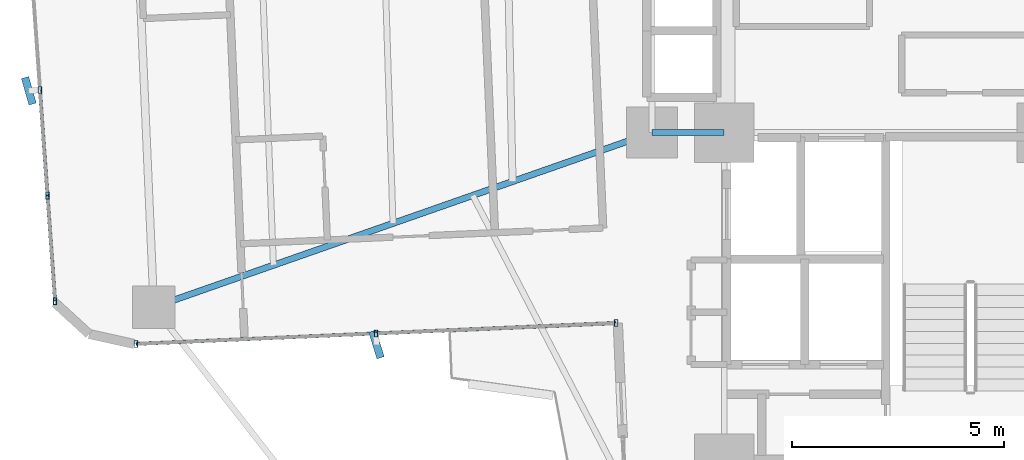
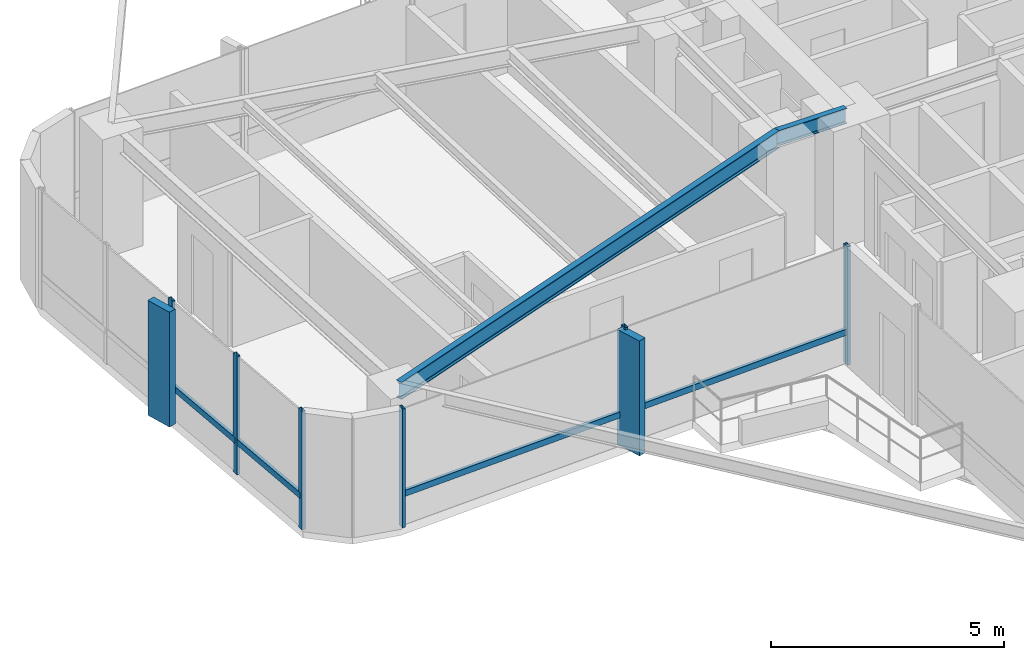
# One storey, part 8 of 26: 12 members, 2 beams, 2 elements without a shape of their own.
"""IFC4 building model written with IfcOpenShell, lengths in metres."""

from ifc_helpers import new_model, si_unit, direction, frame, origin, origin_2d, place, context, subcontext, project, spatial, rectangle, hollow_rectangle, i_section, extrude, source, transform, mapped, material, material_profile, profile_set, type_object, element, aggregate, save


model = new_model("IFC4")

# Units and contexts
model_context = context("Model", 3, precision=1e-05, world=origin(), true_north=direction((0.0, 1.0)))
body_context = subcontext(model_context, "Body", "Model", "MODEL_VIEW")
ifc_project = project(units=[si_unit("LENGTHUNIT", "METRE"), si_unit("AREAUNIT", "SQUARE_METRE"), si_unit("VOLUMEUNIT", "CUBIC_METRE"), si_unit("PLANEANGLEUNIT", "RADIAN"), si_unit("MASSUNIT", "GRAM", prefix="KILO")], contexts=[model_context])

# Site, building, storey
site_placement = place(None, origin())
site = spatial("IfcSite", under=ifc_project, at=site_placement, CompositionType="ELEMENT")
building_placement = place(site_placement, origin())
building = spatial("IfcBuilding", under=site, at=building_placement, Name="Sahyath Konkavel Grand Hotel", CompositionType="ELEMENT")
storey_placement = place(building_placement, frame((0.0, 0.0, 131.550048828125)))
storey = spatial("IfcBuildingStorey", under=building, at=storey_placement, Name="L36", CompositionType="ELEMENT", Elevation=131.550048828125)

# Beams
ifc_material_1 = material(Name="Steel E350", Category="steel")
ifc_material_profile_1 = material_profile(ifc_material_1, i_section(OverallWidth=0.139892578125, OverallDepth=0.39990234375, WebThickness=0.0087890625, FlangeThickness=0.01611328125, FilletRadius=0.013916015625, at=origin_2d()), Name="ISMB 400")
ifc_profile_set_1 = profile_set([ifc_material_profile_1], Name="Steel E350")
beam_type_1 = type_object("IfcBeamType", Name="BM-ISMB400", PredefinedType="BEAM", material=ifc_profile_set_1)
shared_shape_1 = source(origin(), body_context, "Body", "SweptSolid", [
    extrude(i_section(OverallWidth=0.139892578125, OverallDepth=0.39990234375, WebThickness=0.0087890625, FlangeThickness=0.01611328125, FilletRadius=0.013916015625, at=origin_2d()), origin(), (0.0, 0.0, 1.0), 1.699951171875),
])
beam_1_placement = place(storey_placement, frame((-5.5, -2.39990234375, 2.909912109375), z_axis=(1.0, 0.0, 0.0), x_axis=(0.0, 1.0, 0.0)))
element("IfcBeam", 1, at=beam_1_placement, inside=storey, type_object=beam_type_1, Name="str:bm:L36:HB-SW", PredefinedType="BEAM", context=body_context, shape_type="MappedRepresentation", body=[
    mapped(shared_shape_1, transform((0.0, 0.0, 0.0), scale=1.0)),
])
ifc_material_profile_2 = material_profile(ifc_material_1, i_section(OverallWidth=0.14990234375, OverallDepth=0.449951171875, WebThickness=0.009521484375, FlangeThickness=0.017333984375, FilletRadius=0.014892578125, at=origin_2d()), Name="ISMB 450")
ifc_profile_set_2 = profile_set([ifc_material_profile_2], Name="Steel E350")
beam_type_2 = type_object("IfcBeamType", Name="BM-ISMB450", PredefinedType="BEAM", material=ifc_profile_set_2)
shared_shape_2 = source(origin(), body_context, "Body", "SweptSolid", [
    extrude(i_section(OverallWidth=0.14990234375, OverallDepth=0.449951171875, WebThickness=0.009521484375, FlangeThickness=0.017333984375, FilletRadius=0.014892578125, at=origin_2d()), origin(), (0.0, 0.0, 1.0), 12.430908203125),
])
beam_2_placement = place(storey_placement, frame((-5.5, -2.39990234375, 2.885009765625), z_axis=(-0.943819157235, -0.330462400941, 0.0), x_axis=(0.330462400941, -0.943819157235, 0.0)))
element("IfcBeam", 2, at=beam_2_placement, inside=storey, type_object=beam_type_2, Name="L36 Cruciform Radial Girder WB", PredefinedType="BEAM", context=body_context, shape_type="MappedRepresentation", body=[
    mapped(shared_shape_2, transform((0.0, 0.0, 0.0), scale=1.0)),
])

# Curtain wall, members
ifc_material_2 = material(Name="Anodised Bronze Aluminium & Low-E Glazing", Category="aluminium")
curtain_wall_type = type_object("IfcCurtainWallType", Name="CW-ZONE2", PredefinedType="NOTDEFINED", material=ifc_material_2)
curtain_wall_1_placement = place(storey_placement, origin())
curtain_wall_1 = element("IfcCurtainWall", 3, at=curtain_wall_1_placement, inside=storey, type_object=curtain_wall_type, Name="L36 Unitised Curtain Wall F20", PredefinedType="NOTDEFINED")
ifc_material_3 = material(Name="Anodised Bronze Aluminium", Category="aluminium")
ifc_material_profile_3 = material_profile(ifc_material_3, hollow_rectangle(XDim=0.080078125, YDim=0.159912109375, WallThickness=0.006103515625, at=origin_2d()), Name="RHS 160x80x6")
ifc_profile_set_3 = profile_set([ifc_material_profile_3], Name="Anodised Bronze Aluminium")
member_type_1 = type_object("IfcMemberType", Name="CW-MUL-160", PredefinedType="MULLION", material=ifc_profile_set_3)
shared_shape_3 = source(origin(), body_context, "Body", "SweptSolid", [
    extrude(hollow_rectangle(XDim=0.080078125, YDim=0.159912109375, WallThickness=0.006103515625, at=origin_2d()), origin(), (0.0, 0.0, 1.0), 3.10986328125),
])
member_1_placement = place(storey_placement, frame((-19.91748046875, -1.39501953125, 0.0), z_axis=(0.0, 0.0, 1.0), x_axis=(1.0, 0.0, 0.0)))
member_1 = element("IfcMember", 4, at=member_1_placement, type_object=member_type_1, Name="L36 Curtain Wall Mullion F20-2", PredefinedType="MULLION", context=body_context, shape_type="MappedRepresentation", body=[
    mapped(shared_shape_3, transform((0.0, 0.0, 0.0), scale=1.0)),
])
member_2_placement = place(storey_placement, frame((-19.739013671875, -3.882080078125, 0.0), z_axis=(0.0, 0.0, 1.0), x_axis=(1.0, 0.0, 0.0)))
member_2 = element("IfcMember", 5, at=member_2_placement, type_object=member_type_1, Name="L36 Curtain Wall Mullion F20-3", PredefinedType="MULLION", context=body_context, shape_type="MappedRepresentation", body=[
    mapped(shared_shape_3, transform((0.0, 0.0, 0.0), scale=1.0)),
])
member_3_placement = place(storey_placement, frame((-19.560546875, -6.369384765625, 0.0), z_axis=(0.0, 0.0, 1.0), x_axis=(1.0, 0.0, 0.0)))
member_3 = element("IfcMember", 6, at=member_3_placement, type_object=member_type_1, Name="L36 Curtain Wall Mullion F20-4", PredefinedType="MULLION", context=body_context, shape_type="MappedRepresentation", body=[
    mapped(shared_shape_3, transform((0.0, 0.0, 0.0), scale=1.0)),
])

curtain_wall_2_placement = place(storey_placement, origin())
curtain_wall_2 = element("IfcCurtainWall", 7, at=curtain_wall_2_placement, inside=storey, type_object=curtain_wall_type, Name="L36 Unitised Curtain Wall F23", PredefinedType="NOTDEFINED")
member_4_placement = place(storey_placement, frame((-17.655029296875, -7.377197265625, 0.0), z_axis=(0.0, 0.0, 1.0), x_axis=(1.0, 0.0, 0.0)))
member_4 = element("IfcMember", 8, at=member_4_placement, type_object=member_type_1, Name="L36 Curtain Wall Mullion F23-0", PredefinedType="MULLION", context=body_context, shape_type="MappedRepresentation", body=[
    mapped(shared_shape_3, transform((0.0, 0.0, 0.0), scale=1.0)),
])
member_5_placement = place(storey_placement, frame((-12.00048828125, -7.13037109375, 0.0), z_axis=(0.0, 0.0, 1.0), x_axis=(1.0, 0.0, 0.0)))
member_5 = element("IfcMember", 9, at=member_5_placement, type_object=member_type_1, Name="L36 Curtain Wall Mullion F23-1", PredefinedType="MULLION", context=body_context, shape_type="MappedRepresentation", body=[
    mapped(shared_shape_3, transform((0.0, 0.0, 0.0), scale=1.0)),
])
member_6_placement = place(storey_placement, frame((-6.345703125, -6.88330078125, 0.0), z_axis=(0.0, 0.0, 1.0), x_axis=(1.0, 0.0, 0.0)))
member_6 = element("IfcMember", 10, at=member_6_placement, type_object=member_type_1, Name="L36 Curtain Wall Mullion F23-2", PredefinedType="MULLION", context=body_context, shape_type="MappedRepresentation", body=[
    mapped(shared_shape_3, transform((0.0, 0.0, 0.0), scale=1.0)),
])

# Member
ifc_material_4 = material(Name="Warm Buff Sandstone Cladding on Concrete C50/60", Category="masonry")
ifc_material_profile_4 = material_profile(ifc_material_4, rectangle(XDim=0.179931640625, YDim=0.64990234375, at=origin_2d()), Name="FIN 180x650")
ifc_profile_set_4 = profile_set([ifc_material_profile_4], Name="Warm Buff Sandstone Cladding on Concrete C50/60")
member_type_2 = type_object("IfcMemberType", Name="FIN-SANDSTONE-650", PredefinedType="MULLION", material=ifc_profile_set_4)
shared_shape_4 = source(origin(), body_context, "Body", "SweptSolid", [
    extrude(rectangle(XDim=0.179931640625, YDim=0.64990234375, at=origin_2d()), origin(), (0.0, 0.0, 1.0), 3.010009765625),
])
member_7_placement = place(storey_placement, frame((-20.1767578125, -1.413818359375, 0.050048828125), z_axis=(0.0, 0.0, 1.0), x_axis=(0.961693479997, 0.274127070043, 0.0)))
member_7 = element("IfcMember", 11, at=member_7_placement, type_object=member_type_2, Name="L36 Sandstone Vertical Solar Fin FIN F20-2", PredefinedType="MULLION", context=body_context, shape_type="MappedRepresentation", body=[
    mapped(shared_shape_4, transform((0.0, 0.0, 0.0), scale=1.0)),
])

member_8_placement = place(storey_placement, frame((-11.989013671875, -7.39013671875, 0.050048828125), z_axis=(0.0, 0.0, 1.0), x_axis=(0.955278362122, 0.295708050044, 0.0)))
member_8 = element("IfcMember", 12, at=member_8_placement, type_object=member_type_2, Name="L36 Sandstone Vertical Solar Fin FIN F23-1", PredefinedType="MULLION", context=body_context, shape_type="MappedRepresentation", body=[
    mapped(shared_shape_4, transform((0.0, 0.0, 0.0), scale=1.0)),
])

ifc_material_profile_5 = material_profile(ifc_material_3, hollow_rectangle(XDim=0.080078125, YDim=0.159912109375, WallThickness=0.006103515625, at=origin_2d()), Name="RHS 160x80x6")
ifc_profile_set_5 = profile_set([ifc_material_profile_5], Name="Anodised Bronze Aluminium")
member_type_3 = type_object("IfcMemberType", Name="CW-TRN-160", PredefinedType="USERDEFINED", material=ifc_profile_set_5)
shared_shape_5 = source(origin(), body_context, "Body", "SweptSolid", [
    extrude(hollow_rectangle(XDim=0.080078125, YDim=0.159912109375, WallThickness=0.006103515625, at=origin_2d()), origin(), (0.0, 0.0, 1.0), 2.493408203125),
])
member_9_placement = place(storey_placement, frame((-19.91748046875, -1.39501953125, 0.849853515625), z_axis=(0.071574084062, -0.997435286367, 0.0), x_axis=(0.997435286367, 0.071574084062, 0.0)))
member_9 = element("IfcMember", 13, at=member_9_placement, type_object=member_type_3, Name="L36 Curtain Wall Transom F20-2-spandrel", ObjectType="TRANSOM", PredefinedType="USERDEFINED", context=body_context, shape_type="MappedRepresentation", body=[
    mapped(shared_shape_5, transform((0.0, 0.0, 0.0), scale=1.0)),
])

shared_shape_6 = source(origin(), body_context, "Body", "SweptSolid", [
    extrude(hollow_rectangle(XDim=0.080078125, YDim=0.159912109375, WallThickness=0.006103515625, at=origin_2d()), origin(), (0.0, 0.0, 1.0), 2.49365234375),
])
member_10_placement = place(storey_placement, frame((-19.739013671875, -3.882080078125, 0.849853515625), z_axis=(0.071567094714, -0.997435787885, 0.0), x_axis=(0.997435787885, 0.071567094714, 0.0)))
member_10 = element("IfcMember", 14, at=member_10_placement, type_object=member_type_3, Name="L36 Curtain Wall Transom F20-3-spandrel", ObjectType="TRANSOM", PredefinedType="USERDEFINED", context=body_context, shape_type="MappedRepresentation", body=[
    mapped(shared_shape_6, transform((0.0, 0.0, 0.0), scale=1.0)),
])

aggregate(curtain_wall_1, [member_1, member_7, member_2, member_3, member_9, member_10])

shared_shape_7 = source(origin(), body_context, "Body", "SweptSolid", [
    extrude(hollow_rectangle(XDim=0.080078125, YDim=0.159912109375, WallThickness=0.006103515625, at=origin_2d()), origin(), (0.0, 0.0, 1.0), 5.659912109375),
])
member_11_placement = place(storey_placement, frame((-17.655029296875, -7.377197265625, 0.849853515625), z_axis=(0.999048655935, 0.043609437898, 0.0), x_axis=(-0.043609437898, 0.999048655935, 0.0)))
member_11 = element("IfcMember", 15, at=member_11_placement, type_object=member_type_3, Name="L36 Curtain Wall Transom F23-0-spandrel", ObjectType="TRANSOM", PredefinedType="USERDEFINED", context=body_context, shape_type="MappedRepresentation", body=[
    mapped(shared_shape_7, transform((0.0, 0.0, 0.0), scale=1.0)),
])

shared_shape_8 = source(origin(), body_context, "Body", "SweptSolid", [
    extrude(hollow_rectangle(XDim=0.080078125, YDim=0.159912109375, WallThickness=0.006103515625, at=origin_2d()), origin(), (0.0, 0.0, 1.0), 5.66015625),
])
member_12_placement = place(storey_placement, frame((-12.00048828125, -7.13037109375, 0.849853515625), z_axis=(0.9990468579, 0.043650609628, 0.0), x_axis=(-0.043650609628, 0.9990468579, 0.0)))
member_12 = element("IfcMember", 16, at=member_12_placement, type_object=member_type_3, Name="L36 Curtain Wall Transom F23-1-spandrel", ObjectType="TRANSOM", PredefinedType="USERDEFINED", context=body_context, shape_type="MappedRepresentation", body=[
    mapped(shared_shape_8, transform((0.0, 0.0, 0.0), scale=1.0)),
])

aggregate(curtain_wall_2, [member_4, member_5, member_8, member_6, member_11, member_12])

save(model, "model.ifc")
